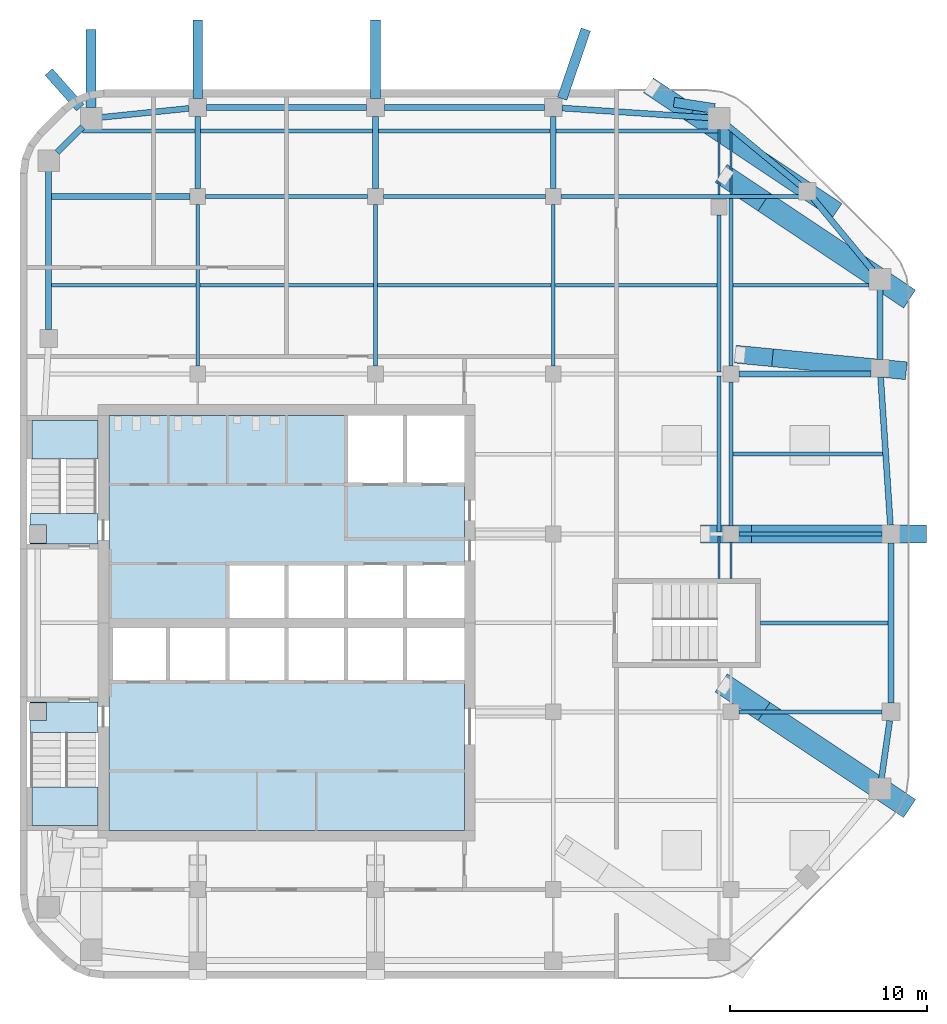
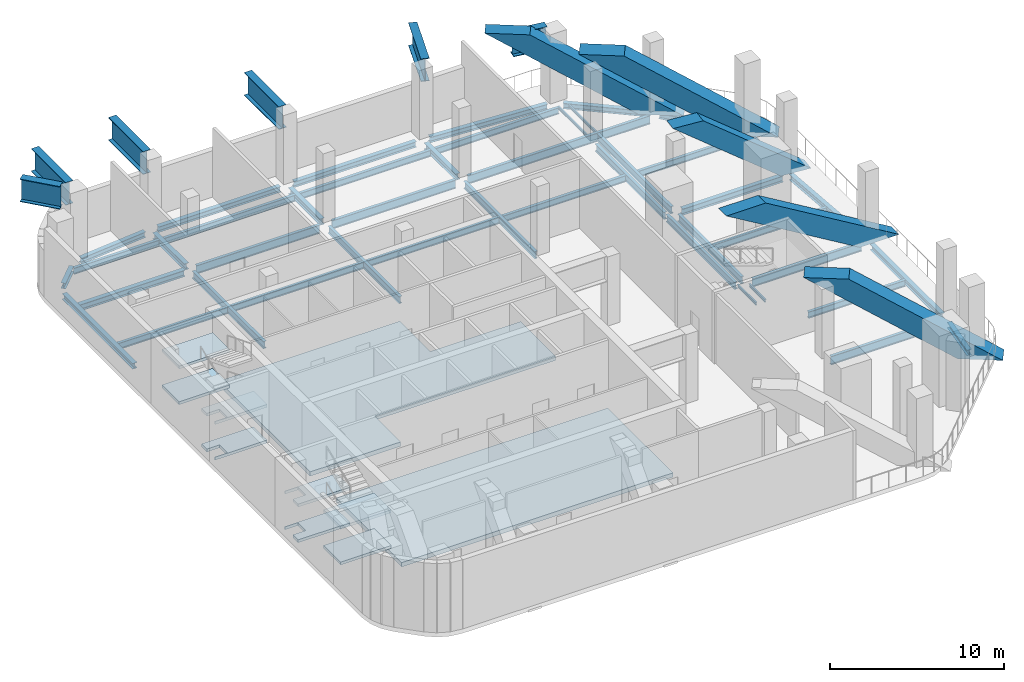
# One storey, part 2 of 8: 50 beams, 10 slabs, 5 members, 2 elements without a shape of their own.
"""IFC4 building model written with IfcOpenShell, lengths in metres."""

import ifcopenshell
import ifcopenshell.guid

model = None  # the IFC model being written
_history = None  # IfcOwnerHistory: only IFC2X3 demands one
_inside = {}  # id of a spatial element -> (the spatial element, [elements in it])
_under = {}  # id of a project, library or spatial element -> (it, [spatial elements below it])
_declared = {}  # id of a project -> (the project, [libraries it declares])
_typed = {}  # id of a type object -> (the type object, [elements of that type])
_made_of = {}  # id of a material, layer set ... -> (it, [elements and type objects made of it])


def new_model(schema):
    """Start an empty IFC model of exactly this schema.

    Asked for "IFC4X3", IfcOpenShell would pick the latest addendum, in which some entities
    have other attributes; the version numbers below select the first issue.
    IFC2X3 requires an IfcOwnerHistory on every rooted entity: one is made here for all.
    """
    global model, _history
    if schema == "IFC4X3":
        model = ifcopenshell.file(schema_version=(4, 3, 0, 0))
    else:
        model = ifcopenshell.file(schema=schema)
    _inside.clear()
    _under.clear()
    _declared.clear()
    _typed.clear()
    _made_of.clear()
    _history = None
    if model.schema == "IFC2X3":
        org = make("IfcOrganization", Name="unknown")
        user = make(
            "IfcPersonAndOrganization",
            ThePerson=make("IfcPerson", FamilyName="unknown"),
            TheOrganization=org,
        )
        app = make(
            "IfcApplication",
            ApplicationDeveloper=org,
            Version="unknown",
            ApplicationFullName="unknown",
            ApplicationIdentifier="unknown",
        )
        _history = make(
            "IfcOwnerHistory",
            OwningUser=user,
            OwningApplication=app,
            ChangeAction="ADDED",
            CreationDate=0,
        )
    return model


def make(cls, **values):
    """One entity of the class cls with the attributes given. An attribute that is None is left unset."""
    return model.create_entity(
        cls, **{name: value for name, value in values.items() if value is not None}
    )


def rooted(cls, **values):
    """An entity with a GlobalId (a new one), such as an element, a storey or a relation."""
    return make(cls, GlobalId=ifcopenshell.guid.new(), OwnerHistory=_history, **values)


def si_unit(unit_type, name, prefix=None):
    """IfcSIUnit, for example si_unit("LENGTHUNIT", "METRE", prefix="MILLI")."""
    return make("IfcSIUnit", UnitType=unit_type, Prefix=prefix, Name=name)


def assignment(units):
    """IfcUnitAssignment: the units of a project."""
    return None if units is None else make("IfcUnitAssignment", Units=units)


def point(xyz):
    """IfcCartesianPoint."""
    return None if xyz is None else make("IfcCartesianPoint", Coordinates=xyz)


def direction(xyz):
    """IfcDirection."""
    return None if xyz is None else make("IfcDirection", DirectionRatios=xyz)


def frame(location, z_axis=None, x_axis=None):
    """IfcAxis2Placement3D, a coordinate frame: its origin and axes. An axis left out is left unset."""
    return make(
        "IfcAxis2Placement3D",
        Location=point(location),
        Axis=direction(z_axis),
        RefDirection=direction(x_axis),
    )


def frame_2d(location, x_axis=None):
    """IfcAxis2Placement2D, a coordinate frame in the plane: its origin and x axis."""
    return make(
        "IfcAxis2Placement2D", Location=point(location), RefDirection=direction(x_axis)
    )


def origin():
    """The frame at (0, 0, 0) with its axes left unset."""
    return frame((0.0, 0.0, 0.0))


def origin_2d():
    """The frame at (0, 0) in the plane with its x axis left unset."""
    return frame_2d((0.0, 0.0))


def place(relative_to, where):
    """IfcLocalPlacement: puts the frame where relative to a parent placement (None: the world)."""
    return make(
        "IfcLocalPlacement", PlacementRelTo=relative_to, RelativePlacement=where
    )


def context(
    kind, dimensions, precision=None, world=None, true_north=None, identifier=None
):
    """IfcGeometricRepresentationContext, for example the 3D "Model" context."""
    return make(
        "IfcGeometricRepresentationContext",
        ContextIdentifier=identifier,
        ContextType=kind,
        CoordinateSpaceDimension=dimensions,
        Precision=precision,
        WorldCoordinateSystem=world,
        TrueNorth=true_north,
    )


def subcontext(parent, identifier, kind, view, scale=None):
    """IfcGeometricRepresentationSubContext, for example "Body" below "Model"."""
    return make(
        "IfcGeometricRepresentationSubContext",
        ContextIdentifier=identifier,
        ContextType=kind,
        ParentContext=parent,
        TargetScale=scale,
        TargetView=view,
    )


def project(units=None, contexts=None):
    """IfcProject with its units and contexts."""
    return rooted(
        "IfcProject",
        Name="project",
        RepresentationContexts=contexts,
        UnitsInContext=assignment(units),
    )


def spatial(cls, under=None, at=None, **own):
    """A site, building, storey or space (cls), placed at a placement, below another one or the project."""
    s = rooted(cls, ObjectPlacement=at, **own)
    if under is not None:
        _under.setdefault(under.id(), (under, []))[1].append(s)
    return s


def polyline(points):
    """IfcPolyline through the points."""
    return make("IfcPolyline", Points=[point(p) for p in points])


def profile(cls, at=None, kind="AREA", **sizes):
    """A parametric profile (cls). Its sizes go by their IFC names, for example OverallWidth=200.0."""
    return make(cls, ProfileType=kind, Position=at, **sizes)


def rectangle(**sizes):
    """IfcRectangleProfileDef."""
    return profile("IfcRectangleProfileDef", **sizes)


def i_section(**sizes):
    """IfcIShapeProfileDef."""
    return profile("IfcIShapeProfileDef", **sizes)


def outline(outer, holes=None, kind="AREA"):
    """IfcArbitraryClosedProfileDef: a profile drawn as a closed curve; with holes, ...WithVoids."""
    if holes is None:
        return make("IfcArbitraryClosedProfileDef", ProfileType=kind, OuterCurve=outer)
    return make(
        "IfcArbitraryProfileDefWithVoids",
        ProfileType=kind,
        OuterCurve=outer,
        InnerCurves=holes,
    )


def extrude(swept, where, along, depth):
    """IfcExtrudedAreaSolid: the profile swept, set in the frame where, extruded along a direction by depth."""
    return make(
        "IfcExtrudedAreaSolid",
        SweptArea=swept,
        Position=where,
        ExtrudedDirection=direction(along),
        Depth=depth,
    )


def shape(context_of_items, identifier, shape_type, items):
    """IfcShapeRepresentation: the items that make up one representation, for example the "Body"."""
    return make(
        "IfcShapeRepresentation",
        ContextOfItems=context_of_items,
        RepresentationIdentifier=identifier,
        RepresentationType=shape_type,
        Items=items,
    )


def material(Name=None, Category=None):
    """IfcMaterial."""
    return make("IfcMaterial", Name=Name, Category=Category)


def layer(
    of_material, thickness, ventilated=None, Name=None, Category=None, Priority=None
):
    """IfcMaterialLayer: one layer of a wall or slab, of a material (None: an air gap)."""
    return make(
        "IfcMaterialLayer",
        Material=of_material,
        LayerThickness=thickness,
        IsVentilated=ventilated,
        Name=Name,
        Category=Category,
        Priority=Priority,
    )


def layer_set(layers, Name=None):
    """IfcMaterialLayerSet."""
    return make("IfcMaterialLayerSet", MaterialLayers=layers, LayerSetName=Name)


def material_profile(
    of_material, cross_section, Name=None, Category=None, Priority=None
):
    """IfcMaterialProfile: a cross section and its material."""
    return make(
        "IfcMaterialProfile",
        Name=Name,
        Material=of_material,
        Profile=cross_section,
        Priority=Priority,
        Category=Category,
    )


def profile_set(profiles, Name=None, composite=None):
    """IfcMaterialProfileSet."""
    return make(
        "IfcMaterialProfileSet",
        Name=Name,
        MaterialProfiles=profiles,
        CompositeProfile=composite,
    )


def made_of(thing, what):
    """Note that an element or type object is made of a material, layer set ...; save() writes the relation."""
    if what is not None:
        _made_of.setdefault(what.id(), (what, []))[1].append(thing)
    return thing


def type_object(cls, material=None, **own):
    """A type object (cls), such as IfcWallType, which elements share."""
    return made_of(rooted(cls, **own), material)


def element(
    cls,
    number,
    at=None,
    inside=None,
    cuts=None,
    type_object=None,
    material=None,
    context=None,
    identifier="Body",
    shape_type=None,
    held_by="IfcProductDefinitionShape",
    body=None,
    shapes=None,
    **own,
):
    """One element of the class cls, such as IfcWall. Its Tag is "e" and its number.

    at: its placement. inside: the storey or other place that contains it. cuts: it is an
    opening in that element (IfcRelVoidsElement). A single representation is given by context,
    identifier, shape_type and body (its items); several are given by shapes. held_by: the class
    of the entity that holds the representations. save() writes the other relations.
    """
    e = rooted(cls, Tag="e%d" % number, ObjectPlacement=at, **own)
    if body is not None:
        shapes = [shape(context, identifier, shape_type, body)]
    if shapes is not None:
        e.Representation = make(held_by, Representations=shapes)
    if inside is not None:
        _inside.setdefault(inside.id(), (inside, []))[1].append(e)
    if cuts is not None:
        rooted(
            "IfcRelVoidsElement", RelatingBuildingElement=cuts, RelatedOpeningElement=e
        )
    if type_object is not None:
        _typed.setdefault(type_object.id(), (type_object, []))[1].append(e)
    return made_of(e, material)


def aggregate(whole, parts):
    """IfcRelAggregates: a whole, such as a stair, and the parts it consists of."""
    return rooted("IfcRelAggregates", RelatingObject=whole, RelatedObjects=parts)


def save(model, path):
    """Write the relations noted so far, then the file.

    IfcRelAggregates (storeys below a building ...), IfcRelContainedInSpatialStructure (elements
    in a storey), IfcRelDefinesByType, IfcRelAssociatesMaterial and IfcRelDeclares: one each for
    every whole, place, type object, material and project.
    """
    for whole, parts in _under.values():
        aggregate(whole, parts)
    for where, things in _inside.values():
        rooted(
            "IfcRelContainedInSpatialStructure",
            RelatedElements=things,
            RelatingStructure=where,
        )
    for kind, things in _typed.values():
        rooted("IfcRelDefinesByType", RelatedObjects=things, RelatingType=kind)
    for what, things in _made_of.values():
        rooted("IfcRelAssociatesMaterial", RelatedObjects=things, RelatingMaterial=what)
    for by, libraries in _declared.values():
        rooted("IfcRelDeclares", RelatingContext=by, RelatedDefinitions=libraries)
    model.write(path)


model = new_model("IFC4")

# Units and contexts
model_context = context("Model", 3, precision=1e-05, world=origin(), true_north=direction((0.0, 1.0)))
body_context = subcontext(model_context, "Body", "Model", "MODEL_VIEW")
ifc_project = project(units=[si_unit("LENGTHUNIT", "METRE"), si_unit("AREAUNIT", "SQUARE_METRE"), si_unit("VOLUMEUNIT", "CUBIC_METRE"), si_unit("PLANEANGLEUNIT", "RADIAN"), si_unit("MASSUNIT", "GRAM", prefix="KILO")], contexts=[model_context])

# Site, building, storey
site_placement = place(None, origin())
site = spatial("IfcSite", under=ifc_project, at=site_placement, CompositionType="ELEMENT")
building_placement = place(site_placement, origin())
building = spatial("IfcBuilding", under=site, at=building_placement, Name="Cinnabar Reach Civic Tower", CompositionType="ELEMENT")
storey_placement = place(building_placement, frame((0.0, 0.0, 242.0)))
storey = spatial("IfcBuildingStorey", under=building, at=storey_placement, Name="L58", CompositionType="ELEMENT", Elevation=242.0)

# Beams
ifc_material_1 = material(Name="Steel Q355B", Category="steel")
ifc_material_profile_1 = material_profile(ifc_material_1, i_section(OverallWidth=0.3, OverallDepth=0.39, WebThickness=0.01, FlangeThickness=0.016, FilletRadius=0.013, at=origin_2d()), Name="HM390x300x10x16")
ifc_profile_set_1 = profile_set([ifc_material_profile_1], Name="Steel Q355B")
beam_type_1 = type_object("IfcBeamType", Name="HM390x300x10x16 beam R 180", PredefinedType="BEAM", material=ifc_profile_set_1)
beam_1_placement = place(storey_placement, frame((43.6082, 23.5339, -0.495), z_axis=(0.140492342965, 0.990081765092, 0.0), x_axis=(-0.990081765092, 0.140492342965, 0.0)))
element("IfcBeam", 1, at=beam_1_placement, inside=storey, type_object=beam_type_1, Name="Edge beam T1 L58 7", PredefinedType="BEAM", context=body_context, shape_type="SweptSolid", body=[
    extrude(i_section(OverallWidth=0.3, OverallDepth=0.39, WebThickness=0.01, FlangeThickness=0.016, FilletRadius=0.013, at=origin_2d()), origin(), (0.0, 0.0, 1.0), 3.0443),
])
beam_2_placement = place(storey_placement, frame((44.1, 27.452, -0.495), z_axis=(0.0, 1.0, 0.0), x_axis=(-1.0, 0.0, 0.0)))
element("IfcBeam", 2, at=beam_2_placement, inside=storey, type_object=beam_type_1, Name="Edge beam T1 L58 8", PredefinedType="BEAM", context=body_context, shape_type="SweptSolid", body=[
    extrude(i_section(OverallWidth=0.3, OverallDepth=0.39, WebThickness=0.01, FlangeThickness=0.016, FilletRadius=0.013, at=origin_2d()), origin(), (0.0, 0.0, 1.0), 8.096),
])
beam_3_placement = place(storey_placement, frame((44.0702, 36.452, -0.495), z_axis=(-0.065709484267, 0.997838796438, 0.0), x_axis=(-0.997838796438, -0.065709484267, 0.0)))
element("IfcBeam", 3, at=beam_3_placement, inside=storey, type_object=beam_type_1, Name="Edge beam T1 L58 9", PredefinedType="BEAM", context=body_context, shape_type="SweptSolid", body=[
    extrude(i_section(OverallWidth=0.3, OverallDepth=0.39, WebThickness=0.01, FlangeThickness=0.016, FilletRadius=0.013, at=origin_2d()), origin(), (0.0, 0.0, 1.0), 7.5103),
])
beam_4_placement = place(storey_placement, frame((43.5469, 44.8501, -0.495), z_axis=(0.0, 1.0, 0.0), x_axis=(-1.0, 0.0, 0.0)))
element("IfcBeam", 4, at=beam_4_placement, inside=storey, type_object=beam_type_1, Name="Edge beam T1 L58 10", PredefinedType="BEAM", context=body_context, shape_type="SweptSolid", body=[
    extrude(i_section(OverallWidth=0.3, OverallDepth=0.39, WebThickness=0.01, FlangeThickness=0.016, FilletRadius=0.013, at=origin_2d()), origin(), (0.0, 0.0, 1.0), 3.616),
])
for number, where, z_axis, x_axis, name in (
    (5, (43.1906, 49.3301, -0.495), (-0.63630880182, 0.771434448755, 0.0), (-0.771434448755, -0.63630880182, 0.0), "Edge beam T1 L58 11"),
    (6, (39.5598, 53.6142, -0.495), (-0.771434448755, 0.63630880182, 0.0), (-0.63630880182, -0.771434448755, 0.0), "Edge beam T1 L58 12"),
):
    element("IfcBeam", number, at=place(storey_placement, frame(where, z_axis=z_axis, x_axis=x_axis)), inside=storey, type_object=beam_type_1, Name=name, PredefinedType="BEAM", context=body_context, shape_type="SweptSolid", body=[
        extrude(i_section(OverallWidth=0.3, OverallDepth=0.39, WebThickness=0.01, FlangeThickness=0.016, FilletRadius=0.013, at=origin_2d()), origin(), (0.0, 0.0, 1.0), 4.8348),
    ])
beam_5_placement = place(storey_placement, frame((34.9661, 57.0754, -0.495), z_axis=(-0.99783894477, 0.065707231721, 0.0), x_axis=(-0.065707231721, -0.99783894477, 0.0)))
element("IfcBeam", 7, at=beam_5_placement, inside=storey, type_object=beam_type_1, Name="Edge beam T1 L58 13", PredefinedType="BEAM", context=body_context, shape_type="SweptSolid", body=[
    extrude(i_section(OverallWidth=0.3, OverallDepth=0.39, WebThickness=0.01, FlangeThickness=0.016, FilletRadius=0.013, at=origin_2d()), origin(), (0.0, 0.0, 1.0), 7.5304),
])
for number, where, z_axis, x_axis, name in (
    (8, (26.548, 57.6, -0.495), (-1.0, 0.0, 0.0), (0.0, -1.0, 0.0), "Edge beam T1 L58 14"),
    (9, (17.548, 57.6, -0.495), (-1.0, 0.0, 0.0), (0.0, -1.0, 0.0), "Edge beam T1 L58 15"),
):
    element("IfcBeam", number, at=place(storey_placement, frame(where, z_axis=z_axis, x_axis=x_axis)), inside=storey, type_object=beam_type_1, Name=name, PredefinedType="BEAM", context=body_context, shape_type="SweptSolid", body=[
        extrude(i_section(OverallWidth=0.3, OverallDepth=0.39, WebThickness=0.01, FlangeThickness=0.016, FilletRadius=0.013, at=origin_2d()), origin(), (0.0, 0.0, 1.0), 8.096),
    ])
beam_6_placement = place(storey_placement, frame((8.548, 57.5537, -0.495), z_axis=(-0.994792272495, -0.101923179821, 0.0), x_axis=(0.101923179821, -0.994792272495, 0.0)))
element("IfcBeam", 10, at=beam_6_placement, inside=storey, type_object=beam_type_1, Name="Edge beam T1 L58 16", PredefinedType="BEAM", context=body_context, shape_type="SweptSolid", body=[
    extrude(i_section(OverallWidth=0.3, OverallDepth=0.39, WebThickness=0.01, FlangeThickness=0.016, FilletRadius=0.013, at=origin_2d()), origin(), (0.0, 0.0, 1.0), 4.5377),
])
beam_7_placement = place(storey_placement, frame((3.1699, 56.6149, -0.495), z_axis=(-0.707106781187, -0.707106781187, 0.0), x_axis=(0.707106781187, -0.707106781187, 0.0)))
element("IfcBeam", 11, at=beam_7_placement, inside=storey, type_object=beam_type_1, Name="Edge beam T1 L58 17", PredefinedType="BEAM", context=body_context, shape_type="SweptSolid", body=[
    extrude(i_section(OverallWidth=0.3, OverallDepth=0.39, WebThickness=0.01, FlangeThickness=0.016, FilletRadius=0.013, at=origin_2d()), origin(), (0.0, 0.0, 1.0), 1.817),
])
beam_8_placement = place(storey_placement, frame((1.4531, 54.4661, -0.495), z_axis=(0.0, -1.0, 0.0), x_axis=(1.0, 0.0, 0.0)))
element("IfcBeam", 12, at=beam_8_placement, inside=storey, type_object=beam_type_1, Name="Edge beam T1 L58 18", PredefinedType="BEAM", context=body_context, shape_type="SweptSolid", body=[
    extrude(i_section(OverallWidth=0.3, OverallDepth=0.39, WebThickness=0.01, FlangeThickness=0.016, FilletRadius=0.013, at=origin_2d()), origin(), (0.0, 0.0, 1.0), 8.116),
])
ifc_material_profile_2 = material_profile(ifc_material_1, i_section(OverallWidth=0.3, OverallDepth=0.44, WebThickness=0.011, FlangeThickness=0.018, FilletRadius=0.016, at=origin_2d()), Name="HM440x300x11x18")
ifc_profile_set_2 = profile_set([ifc_material_profile_2], Name="Steel Q355B")
beam_type_2 = type_object("IfcBeamType", Name="HM440x300x11x18 beam R 180", PredefinedType="BEAM", material=ifc_profile_set_2)
beam_9_placement = place(storey_placement, frame((36.402, 44.1, -0.52), z_axis=(1.0, 0.0, 0.0), x_axis=(0.0, 1.0, 0.0)))
element("IfcBeam", 13, at=beam_9_placement, inside=storey, type_object=beam_type_2, Name="Girder T1 L58 16", PredefinedType="BEAM", context=body_context, shape_type="SweptSolid", body=[
    extrude(i_section(OverallWidth=0.3, OverallDepth=0.44, WebThickness=0.011, FlangeThickness=0.018, FilletRadius=0.016, at=origin_2d()), origin(), (0.0, 0.0, 1.0), 6.6929),
])
beam_10_placement = place(storey_placement, frame((1.6051, 53.1, -0.52), z_axis=(1.0, 0.0, 0.0), x_axis=(0.0, 1.0, 0.0)))
element("IfcBeam", 14, at=beam_10_placement, inside=storey, type_object=beam_type_2, Name="Girder T1 L58 17", PredefinedType="BEAM", context=body_context, shape_type="SweptSolid", body=[
    extrude(i_section(OverallWidth=0.3, OverallDepth=0.44, WebThickness=0.011, FlangeThickness=0.018, FilletRadius=0.016, at=origin_2d()), origin(), (0.0, 0.0, 1.0), 6.9929),
])
for number, where, z_axis, x_axis, name in (
    (15, (9.0, 53.502, -0.52), (0.0, 1.0, 0.0), (-1.0, 0.0, 0.0), "Girder T1 L58 5"),
    (16, (18.0, 53.502, -0.52), (0.0, 1.0, 0.0), (-1.0, 0.0, 0.0), "Girder T1 L58 10"),
    (17, (27.0, 53.502, -0.52), (0.0, 1.0, 0.0), (-1.0, 0.0, 0.0), "Girder T1 L58 16"),
):
    element("IfcBeam", number, at=place(storey_placement, frame(where, z_axis=z_axis, x_axis=x_axis)), inside=storey, type_object=beam_type_2, Name=name, PredefinedType="BEAM", context=body_context, shape_type="SweptSolid", body=[
        extrude(i_section(OverallWidth=0.3, OverallDepth=0.44, WebThickness=0.011, FlangeThickness=0.018, FilletRadius=0.016, at=origin_2d()), origin(), (0.0, 0.0, 1.0), 3.646),
    ])
ifc_material_profile_3 = material_profile(ifc_material_1, i_section(OverallWidth=0.099, OverallDepth=0.198, WebThickness=0.0045, FlangeThickness=0.007, FilletRadius=0.013, at=origin_2d()), Name="HN200x100x5.5x8")
ifc_profile_set_3 = profile_set([ifc_material_profile_3], Name="Steel Q355B")
beam_type_3 = type_object("IfcBeamType", Name="HN200x100x5.5x8 beam R 180", PredefinedType="BEAM", material=ifc_profile_set_3)
beam_11_placement = place(storey_placement, frame((35.3981, 33.752, -0.399), z_axis=(0.0, 1.0, 0.0), x_axis=(-1.0, 0.0, 0.0)))
element("IfcBeam", 18, at=beam_11_placement, inside=storey, type_object=beam_type_3, Name="Girder T1 L58 20", PredefinedType="BEAM", context=body_context, shape_type="SweptSolid", body=[
    extrude(i_section(OverallWidth=0.099, OverallDepth=0.198, WebThickness=0.0045, FlangeThickness=0.007, FilletRadius=0.013, at=origin_2d()), origin(), (0.0, 0.0, 1.0), 2.1465),
])
beam_12_placement = place(storey_placement, frame((35.3981, 53.2015, -0.399), z_axis=(0.0, 1.0, 0.0), x_axis=(-1.0, 0.0, 0.0)))
element("IfcBeam", 19, at=beam_12_placement, inside=storey, type_object=beam_type_3, Name="Girder T1 L58 23", PredefinedType="BEAM", context=body_context, shape_type="SweptSolid", body=[
    extrude(i_section(OverallWidth=0.099, OverallDepth=0.198, WebThickness=0.0045, FlangeThickness=0.007, FilletRadius=0.013, at=origin_2d()), origin(), (0.0, 0.0, 1.0), 3.2934),
])
beam_13_placement = place(storey_placement, frame((36.0, 33.752, -0.399), z_axis=(0.0, 1.0, 0.0), x_axis=(-1.0, 0.0, 0.0)))
element("IfcBeam", 20, at=beam_13_placement, inside=storey, type_object=beam_type_3, Name="Girder T1 L58 27", PredefinedType="BEAM", context=body_context, shape_type="SweptSolid", body=[
    extrude(i_section(OverallWidth=0.099, OverallDepth=0.198, WebThickness=0.0045, FlangeThickness=0.007, FilletRadius=0.013, at=origin_2d()), origin(), (0.0, 0.0, 1.0), 1.846),
])
beam_14_placement = place(storey_placement, frame((36.0, 53.2015, -0.399), z_axis=(0.0, 1.0, 0.0), x_axis=(-1.0, 0.0, 0.0)))
element("IfcBeam", 21, at=beam_14_placement, inside=storey, type_object=beam_type_3, Name="Girder T1 L58 30", PredefinedType="BEAM", context=body_context, shape_type="SweptSolid", body=[
    extrude(i_section(OverallWidth=0.099, OverallDepth=0.198, WebThickness=0.0045, FlangeThickness=0.007, FilletRadius=0.013, at=origin_2d()), origin(), (0.0, 0.0, 1.0), 3.1519),
])
ifc_material_profile_4 = material_profile(ifc_material_1, i_section(OverallWidth=0.199, OverallDepth=0.446, WebThickness=0.008, FlangeThickness=0.012, FilletRadius=0.016, at=origin_2d()), Name="HN446x199x8x12")
ifc_profile_set_4 = profile_set([ifc_material_profile_4], Name="Steel Q355B")
beam_type_4 = type_object("IfcBeamType", Name="HN446x199x8x12 beam R 180", PredefinedType="BEAM", material=ifc_profile_set_4)
beam_15_placement = place(storey_placement, frame((37.502, 31.5, -0.523), z_axis=(1.0, 0.0, 0.0), x_axis=(0.0, 1.0, 0.0)))
element("IfcBeam", 22, at=beam_15_placement, inside=storey, type_object=beam_type_4, Name="Secondary beam T1 L58 7", PredefinedType="BEAM", context=body_context, shape_type="SweptSolid", body=[
    extrude(i_section(OverallWidth=0.199, OverallDepth=0.446, WebThickness=0.008, FlangeThickness=0.012, FilletRadius=0.016, at=origin_2d()), origin(), (0.0, 0.0, 1.0), 6.446),
])
beam_16_placement = place(storey_placement, frame((36.102, 40.05, -0.523), z_axis=(1.0, 0.0, 0.0), x_axis=(0.0, 1.0, 0.0)))
element("IfcBeam", 23, at=beam_16_placement, inside=storey, type_object=beam_type_4, Name="Secondary beam T1 L58 10", PredefinedType="BEAM", context=body_context, shape_type="SweptSolid", body=[
    extrude(i_section(OverallWidth=0.199, OverallDepth=0.446, WebThickness=0.008, FlangeThickness=0.012, FilletRadius=0.016, at=origin_2d()), origin(), (0.0, 0.0, 1.0), 7.5789),
])
beam_17_placement = place(storey_placement, frame((1.6051, 48.6, -0.523), z_axis=(1.0, 0.0, 0.0), x_axis=(0.0, 1.0, 0.0)))
element("IfcBeam", 24, at=beam_17_placement, inside=storey, type_object=beam_type_4, Name="Secondary beam T1 L58 11", PredefinedType="BEAM", context=body_context, shape_type="SweptSolid", body=[
    extrude(i_section(OverallWidth=0.199, OverallDepth=0.446, WebThickness=0.008, FlangeThickness=0.012, FilletRadius=0.016, at=origin_2d()), origin(), (0.0, 0.0, 1.0), 7.2929),
])
for number, where, z_axis, x_axis, name in (
    (25, (9.102, 48.6, -0.523), (1.0, 0.0, 0.0), (0.0, 1.0, 0.0), "Secondary beam T1 L58 12"),
    (26, (18.102, 48.6, -0.523), (1.0, 0.0, 0.0), (0.0, 1.0, 0.0), "Secondary beam T1 L58 13"),
):
    element("IfcBeam", number, at=place(storey_placement, frame(where, z_axis=z_axis, x_axis=x_axis)), inside=storey, type_object=beam_type_4, Name=name, PredefinedType="BEAM", context=body_context, shape_type="SweptSolid", body=[
        extrude(i_section(OverallWidth=0.199, OverallDepth=0.446, WebThickness=0.008, FlangeThickness=0.012, FilletRadius=0.016, at=origin_2d()), origin(), (0.0, 0.0, 1.0), 8.796),
    ])
beam_18_placement = place(storey_placement, frame((27.102, 48.6, -0.523), z_axis=(1.0, 0.0, 0.0), x_axis=(0.0, 1.0, 0.0)))
element("IfcBeam", 27, at=beam_18_placement, inside=storey, type_object=beam_type_4, Name="Secondary beam T1 L58 14", PredefinedType="BEAM", context=body_context, shape_type="SweptSolid", body=[
    extrude(i_section(OverallWidth=0.199, OverallDepth=0.446, WebThickness=0.008, FlangeThickness=0.012, FilletRadius=0.016, at=origin_2d()), origin(), (0.0, 0.0, 1.0), 8.1941),
])
beam_19_placement = place(storey_placement, frame((36.102, 48.6, -0.523), z_axis=(1.0, 0.0, 0.0), x_axis=(0.0, 1.0, 0.0)))
element("IfcBeam", 28, at=beam_19_placement, inside=storey, type_object=beam_type_4, Name="Secondary beam T1 L58 15", PredefinedType="BEAM", context=body_context, shape_type="SweptSolid", body=[
    extrude(i_section(OverallWidth=0.199, OverallDepth=0.446, WebThickness=0.008, FlangeThickness=0.012, FilletRadius=0.016, at=origin_2d()), origin(), (0.0, 0.0, 1.0), 6.8929),
])
beam_20_placement = place(storey_placement, frame((3.17, 56.4, -0.523), z_axis=(1.0, 0.0, 0.0), x_axis=(0.0, 1.0, 0.0)))
element("IfcBeam", 29, at=beam_20_placement, inside=storey, type_object=beam_type_4, Name="Secondary beam T1 L58 16", PredefinedType="BEAM", context=body_context, shape_type="SweptSolid", body=[
    extrude(i_section(OverallWidth=0.199, OverallDepth=0.446, WebThickness=0.008, FlangeThickness=0.012, FilletRadius=0.016, at=origin_2d()), origin(), (0.0, 0.0, 1.0), 5.678),
])
for number, where, z_axis, x_axis, name in (
    (30, (9.152, 56.4, -0.523), (1.0, 0.0, 0.0), (0.0, 1.0, 0.0), "Secondary beam T1 L58 17"),
    (31, (18.152, 56.4, -0.523), (1.0, 0.0, 0.0), (0.0, 1.0, 0.0), "Secondary beam T1 L58 18"),
):
    element("IfcBeam", number, at=place(storey_placement, frame(where, z_axis=z_axis, x_axis=x_axis)), inside=storey, type_object=beam_type_4, Name=name, PredefinedType="BEAM", context=body_context, shape_type="SweptSolid", body=[
        extrude(i_section(OverallWidth=0.199, OverallDepth=0.446, WebThickness=0.008, FlangeThickness=0.012, FilletRadius=0.016, at=origin_2d()), origin(), (0.0, 0.0, 1.0), 8.696),
    ])
beam_21_placement = place(storey_placement, frame((27.152, 56.4, -0.523), z_axis=(1.0, 0.0, 0.0), x_axis=(0.0, 1.0, 0.0)))
element("IfcBeam", 32, at=beam_21_placement, inside=storey, type_object=beam_type_4, Name="Secondary beam T1 L58 19", PredefinedType="BEAM", context=body_context, shape_type="SweptSolid", body=[
    extrude(i_section(OverallWidth=0.199, OverallDepth=0.446, WebThickness=0.008, FlangeThickness=0.012, FilletRadius=0.016, at=origin_2d()), origin(), (0.0, 0.0, 1.0), 8.1946),
])
ifc_material_profile_5 = material_profile(ifc_material_1, i_section(OverallWidth=0.2, OverallDepth=0.5, WebThickness=0.01, FlangeThickness=0.016, FilletRadius=0.016, at=origin_2d()), Name="HN500x200x10x16")
ifc_profile_set_5 = profile_set([ifc_material_profile_5], Name="Steel Q355B")
beam_type_5 = type_object("IfcBeamType", Name="HN500x200x10x16 beam R 180", PredefinedType="BEAM", material=ifc_profile_set_5)
for number, where, z_axis, x_axis, name in (
    (33, (9.0, 44.502, -0.55), (0.0, 1.0, 0.0), (-1.0, 0.0, 0.0), "Girder T1 L58 4"),
    (34, (18.0, 44.502, -0.55), (0.0, 1.0, 0.0), (-1.0, 0.0, 0.0), "Girder T1 L58 9"),
    (35, (27.0, 44.502, -0.55), (0.0, 1.0, 0.0), (-1.0, 0.0, 0.0), "Girder T1 L58 15"),
):
    element("IfcBeam", number, at=place(storey_placement, frame(where, z_axis=z_axis, x_axis=x_axis)), inside=storey, type_object=beam_type_5, Name=name, PredefinedType="BEAM", context=body_context, shape_type="SweptSolid", body=[
        extrude(i_section(OverallWidth=0.2, OverallDepth=0.5, WebThickness=0.01, FlangeThickness=0.016, FilletRadius=0.016, at=origin_2d()), origin(), (0.0, 0.0, 1.0), 8.196),
    ])
beam_22_placement = place(storey_placement, frame((35.3981, 36.1015, -0.55), z_axis=(0.0, 1.0, 0.0), x_axis=(-1.0, 0.0, 0.0)))
element("IfcBeam", 36, at=beam_22_placement, inside=storey, type_object=beam_type_5, Name="Girder T1 L58 21", PredefinedType="BEAM", context=body_context, shape_type="SweptSolid", body=[
    extrude(i_section(OverallWidth=0.2, OverallDepth=0.5, WebThickness=0.01, FlangeThickness=0.016, FilletRadius=0.016, at=origin_2d()), origin(), (0.0, 0.0, 1.0), 7.897),
])
beam_23_placement = place(storey_placement, frame((35.3981, 44.2015, -0.55), z_axis=(0.0, 1.0, 0.0), x_axis=(-1.0, 0.0, 0.0)))
element("IfcBeam", 37, at=beam_23_placement, inside=storey, type_object=beam_type_5, Name="Girder T1 L58 22", PredefinedType="BEAM", context=body_context, shape_type="SweptSolid", body=[
    extrude(i_section(OverallWidth=0.2, OverallDepth=0.5, WebThickness=0.01, FlangeThickness=0.016, FilletRadius=0.016, at=origin_2d()), origin(), (0.0, 0.0, 1.0), 7.9434),
])
beam_24_placement = place(storey_placement, frame((36.0, 36.402, -0.55), z_axis=(0.0, 1.0, 0.0), x_axis=(-1.0, 0.0, 0.0)))
element("IfcBeam", 38, at=beam_24_placement, inside=storey, type_object=beam_type_5, Name="Girder T1 L58 28", PredefinedType="BEAM", context=body_context, shape_type="SweptSolid", body=[
    extrude(i_section(OverallWidth=0.2, OverallDepth=0.5, WebThickness=0.01, FlangeThickness=0.016, FilletRadius=0.016, at=origin_2d()), origin(), (0.0, 0.0, 1.0), 7.296),
])
beam_25_placement = place(storey_placement, frame((36.0, 44.502, -0.55), z_axis=(0.0, 1.0, 0.0), x_axis=(-1.0, 0.0, 0.0)))
element("IfcBeam", 39, at=beam_25_placement, inside=storey, type_object=beam_type_5, Name="Girder T1 L58 29", PredefinedType="BEAM", context=body_context, shape_type="SweptSolid", body=[
    extrude(i_section(OverallWidth=0.2, OverallDepth=0.5, WebThickness=0.01, FlangeThickness=0.016, FilletRadius=0.016, at=origin_2d()), origin(), (0.0, 0.0, 1.0), 8.4965),
])
ifc_material_profile_6 = material_profile(ifc_material_1, i_section(OverallWidth=0.199, OverallDepth=0.596, WebThickness=0.01, FlangeThickness=0.015, FilletRadius=0.016, at=origin_2d()), Name="HN596x199x10x15")
ifc_profile_set_6 = profile_set([ifc_material_profile_6], Name="Steel Q355B")
beam_type_6 = type_object("IfcBeamType", Name="HN596x199x10x15 beam R 180", PredefinedType="BEAM", material=ifc_profile_set_6)
for number, where, z_axis, x_axis, name in (
    (40, (36.402, 27.0, -0.598), (1.0, 0.0, 0.0), (0.0, 1.0, 0.0), "Girder T1 L58 8"),
    (41, (36.402, 36.0, -0.598), (1.0, 0.0, 0.0), (0.0, 1.0, 0.0), "Girder T1 L58 11"),
):
    element("IfcBeam", number, at=place(storey_placement, frame(where, z_axis=z_axis, x_axis=x_axis)), inside=storey, type_object=beam_type_6, Name=name, PredefinedType="BEAM", context=body_context, shape_type="SweptSolid", body=[
        extrude(i_section(OverallWidth=0.199, OverallDepth=0.596, WebThickness=0.01, FlangeThickness=0.015, FilletRadius=0.016, at=origin_2d()), origin(), (0.0, 0.0, 1.0), 7.246),
    ])
for number, where, z_axis, x_axis, name in (
    (42, (9.402, 53.1, -0.598), (1.0, 0.0, 0.0), (0.0, 1.0, 0.0), "Girder T1 L58 18"),
    (43, (18.402, 53.1, -0.598), (1.0, 0.0, 0.0), (0.0, 1.0, 0.0), "Girder T1 L58 19"),
):
    element("IfcBeam", number, at=place(storey_placement, frame(where, z_axis=z_axis, x_axis=x_axis)), inside=storey, type_object=beam_type_6, Name=name, PredefinedType="BEAM", context=body_context, shape_type="SweptSolid", body=[
        extrude(i_section(OverallWidth=0.199, OverallDepth=0.596, WebThickness=0.01, FlangeThickness=0.015, FilletRadius=0.016, at=origin_2d()), origin(), (0.0, 0.0, 1.0), 8.196),
    ])
beam_26_placement = place(storey_placement, frame((27.402, 53.1, -0.598), z_axis=(1.0, 0.0, 0.0), x_axis=(0.0, 1.0, 0.0)))
element("IfcBeam", 44, at=beam_26_placement, inside=storey, type_object=beam_type_6, Name="Girder T1 L58 20", PredefinedType="BEAM", context=body_context, shape_type="SweptSolid", body=[
    extrude(i_section(OverallWidth=0.199, OverallDepth=0.596, WebThickness=0.01, FlangeThickness=0.015, FilletRadius=0.016, at=origin_2d()), origin(), (0.0, 0.0, 1.0), 12.086),
])

# Members
ifc_material_2 = material(Name="Concrete C70", Category="concrete")
ifc_material_profile_7 = material_profile(ifc_material_2, rectangle(XDim=1.9, YDim=0.9, at=origin_2d()), Name="RC1900x900")
ifc_profile_set_7 = profile_set([ifc_material_profile_7], Name="Concrete C70")
member_type_1 = type_object("IfcMemberType", Name="RC1900x900 raked strut R 240", PredefinedType="STRUT", material=ifc_profile_set_7)
member_1_placement = place(storey_placement, frame((43.9302, 44.3609, -0.3), z_axis=(0.0, 0.0, 1.0), x_axis=(-0.995315553523, 0.096679619958, 0.0)))
element("IfcMember", 45, at=member_1_placement, inside=storey, type_object=member_type_1, Name="Raked column T1-Z4-F2-5", PredefinedType="STRUT", context=body_context, shape_type="SweptSolid", body=[
    extrude(rectangle(XDim=1.9, YDim=0.9, at=origin_2d()), origin(), (0.788892136728, 9.934408e-06, 0.614531688776), 8.6245),
])
ifc_material_3 = material(Name="Concrete C80", Category="concrete")
ifc_material_profile_8 = material_profile(ifc_material_3, rectangle(XDim=2.6, YDim=1.1, at=origin_2d()), Name="RC2600x1100")
ifc_profile_set_8 = profile_set([ifc_material_profile_8], Name="Concrete C80")
member_type_2 = type_object("IfcMemberType", Name="RC2600x1100 raked strut R 240", PredefinedType="STRUT", material=ifc_profile_set_8)
for number, where, z_axis, x_axis, name in (
    (46, (43.9644, 22.8235, -0.3), (0.0, 0.0, 1.0), (-0.83205094808, 0.554699215611, 0.0), "Raked column T1-Z4-CC2"),
    (47, (43.9644, 48.6197, -0.3), (0.0, 0.0, 1.0), (-0.83205094808, 0.554699215611, 0.0), "Raked column T1-Z4-CC3"),
):
    element("IfcMember", number, at=place(storey_placement, frame(where, z_axis=z_axis, x_axis=x_axis)), inside=storey, type_object=member_type_2, Name=name, PredefinedType="STRUT", context=body_context, shape_type="SweptSolid", body=[
        extrude(rectangle(XDim=2.6, YDim=1.1, at=origin_2d()), origin(), (0.858309710975, -6.382022e-06, 0.513131990822), 10.3287),
    ])
ifc_material_profile_9 = material_profile(ifc_material_2, rectangle(XDim=2.6, YDim=0.9, at=origin_2d()), Name="RC2600x900")
ifc_profile_set_9 = profile_set([ifc_material_profile_9], Name="Concrete C70")
member_type_3 = type_object("IfcMemberType", Name="RC2600x900 raked strut R 240", PredefinedType="STRUT", material=ifc_profile_set_9)
member_2_placement = place(storey_placement, frame((44.6, 36.0, -0.3), z_axis=(0.0, 0.0, 1.0), x_axis=(-1.0, 0.0, 0.0)))
element("IfcMember", 48, at=member_2_placement, inside=storey, type_object=member_type_3, Name="Raked column T1-Z4-F2-4", PredefinedType="STRUT", context=body_context, shape_type="SweptSolid", body=[
    extrude(rectangle(XDim=2.6, YDim=0.9, at=origin_2d()), origin(), (0.857933100558, 0.0, 0.513761418333), 10.3161),
])
member_3_placement = place(storey_placement, frame((40.2796, 53.0862, -0.3), z_axis=(0.0, 0.0, 1.0), x_axis=(-0.83205094808, 0.554699215611, 0.0)))
element("IfcMember", 49, at=member_3_placement, inside=storey, type_object=member_type_3, Name="Raked column T1-Z4-F3-M", PredefinedType="STRUT", context=body_context, shape_type="SweptSolid", body=[
    extrude(rectangle(XDim=2.6, YDim=0.9, at=origin_2d()), origin(), (0.858263743497, -6.382773e-06, 0.513208872252), 10.3272),
])

# Beams
ifc_material_profile_10 = material_profile(ifc_material_1, i_section(OverallWidth=0.5, OverallDepth=1.6, WebThickness=0.025, FlangeThickness=0.04, at=origin_2d()), Name="BH1600x500x25x40")
ifc_profile_set_10 = profile_set([ifc_material_profile_10], Name="Steel Q355B")
beam_type_7 = type_object("IfcBeamType", Name="TRANSFER BH1600x500x25x40 R 240", PredefinedType="BEAM", material=ifc_profile_set_10)
beam_27_placement = place(storey_placement, frame((27.45, 58.05, 4.05), z_axis=(0.3241216666, 0.946015404336, 0.0), x_axis=(-0.946015404336, 0.3241216666, 0.0)))
element("IfcBeam", 50, at=beam_27_placement, inside=storey, type_object=beam_type_7, Name="TRANSFER girder T1-L58-TG-CC4", PredefinedType="BEAM", context=body_context, shape_type="SweptSolid", body=[
    extrude(i_section(OverallWidth=0.5, OverallDepth=1.6, WebThickness=0.025, FlangeThickness=0.04, at=origin_2d()), origin(), (0.0, 0.0, 1.0), 3.6965),
])
beam_28_placement = place(storey_placement, frame((3.6019, 57.5969, 4.05), z_axis=(0.0, 1.0, 0.0), x_axis=(-1.0, 0.0, 0.0)))
element("IfcBeam", 51, at=beam_28_placement, inside=storey, type_object=beam_type_7, Name="TRANSFER girder T1-L58-TG-CC5", PredefinedType="BEAM", context=body_context, shape_type="SweptSolid", body=[
    extrude(i_section(OverallWidth=0.5, OverallDepth=1.6, WebThickness=0.025, FlangeThickness=0.04, at=origin_2d()), origin(), (0.0, 0.0, 1.0), 3.95),
])
beam_29_placement = place(storey_placement, frame((3.0519, 57.5969, 4.05), z_axis=(-0.663837932555, 0.747876459919, 0.0), x_axis=(-0.747876459919, -0.663837932555, 0.0)))
element("IfcBeam", 52, at=beam_29_placement, inside=storey, type_object=beam_type_7, Name="TRANSFER girder T1-L58-TG-CC6", PredefinedType="BEAM", context=body_context, shape_type="SweptSolid", body=[
    extrude(i_section(OverallWidth=0.5, OverallDepth=1.6, WebThickness=0.025, FlangeThickness=0.04, at=origin_2d()), origin(), (0.0, 0.0, 1.0), 2.4084),
])
beam_30_placement = place(storey_placement, frame((35.1694, 57.5475, 4.05), z_axis=(-0.988384477864, 0.151974089626, 0.0), x_axis=(-0.151974089626, -0.988384477864, 0.0)))
element("IfcBeam", 53, at=beam_30_placement, inside=storey, type_object=beam_type_7, Name="TRANSFER girder T1-L58-TG-F3-M", PredefinedType="BEAM", context=body_context, shape_type="SweptSolid", body=[
    extrude(i_section(OverallWidth=0.5, OverallDepth=1.6, WebThickness=0.025, FlangeThickness=0.04, at=origin_2d()), origin(), (0.0, 0.0, 1.0), 2.08),
])
for number, where, z_axis, x_axis, name in (
    (54, (9.0, 58.05, 4.05), (0.0, 1.0, 0.0), (-1.0, 0.0, 0.0), "TRANSFER girder T1-L58-TG-F4-1"),
    (55, (18.0, 58.05, 4.05), (0.0, 1.0, 0.0), (-1.0, 0.0, 0.0), "TRANSFER girder T1-L58-TG-F4-2"),
):
    element("IfcBeam", number, at=place(storey_placement, frame(where, z_axis=z_axis, x_axis=x_axis)), inside=storey, type_object=beam_type_7, Name=name, PredefinedType="BEAM", context=body_context, shape_type="SweptSolid", body=[
        extrude(i_section(OverallWidth=0.5, OverallDepth=1.6, WebThickness=0.025, FlangeThickness=0.04, at=origin_2d()), origin(), (0.0, 0.0, 1.0), 3.98),
    ])

# Stair, slabs
ifc_material_4 = material(Name="Concrete C40/50", Category="concrete")
stair_type = type_object("IfcStairType", Name="T1 Exit stair, double return", PredefinedType="DOUBLE_RETURN_STAIR", material=ifc_material_4)
stair_1_placement = place(storey_placement, origin())
stair_1 = element("IfcStair", 56, at=stair_1_placement, inside=storey, type_object=stair_type, Name="Stair T1-S1", PredefinedType="DOUBLE_RETURN_STAIR")
ifc_layer_1 = layer(ifc_material_4, 0.2)
ifc_layer_set_1 = layer_set([ifc_layer_1], Name="T1 Stair landing 200, Concrete C40/50")
slab_type_1 = type_object("IfcSlabType", Name="T1 Stair landing 200, Concrete C40/50", PredefinedType="LANDING", material=ifc_layer_set_1)
slab_1_placement = place(storey_placement, frame((0.0, 0.0, -0.2)))
slab_1 = element("IfcSlab", 57, at=slab_1_placement, type_object=slab_type_1, Name="T1-S1 landing 1", PredefinedType="LANDING", context=body_context, shape_type="SweptSolid", body=[
    extrude(outline(polyline([(0.5, 27.5), (3.95, 27.5), (3.95, 25.95), (0.5, 25.95), (0.5, 26.55), (1.35, 26.55), (1.35, 27.45), (0.5, 27.45), (0.5, 27.5)])), origin(), (0.0, 0.0, 1.0), 0.2),
])
slab_2_placement = place(storey_placement, frame((0.0, 0.0, 1.05)))
slab_2 = element("IfcSlab", 58, at=slab_2_placement, type_object=slab_type_1, Name="T1-S1 landing 2", PredefinedType="LANDING", context=body_context, shape_type="SweptSolid", body=[
    extrude(outline(polyline([(0.6, 21.25), (0.6, 23.205), (3.95, 23.205), (3.95, 21.25), (0.6, 21.25)])), origin(), (0.0, 0.0, 1.0), 0.2),
])
slab_3_placement = place(storey_placement, frame((0.0, 0.0, 2.3)))
slab_3 = element("IfcSlab", 59, at=slab_3_placement, type_object=slab_type_1, Name="T1-S1 landing 3", PredefinedType="LANDING", context=body_context, shape_type="SweptSolid", body=[
    extrude(outline(polyline([(0.5, 27.5), (3.95, 27.5), (3.95, 25.95), (0.5, 25.95), (0.5, 26.55), (1.35, 26.55), (1.35, 27.45), (0.5, 27.45), (0.5, 27.5)])), origin(), (0.0, 0.0, 1.0), 0.2),
])
slab_4_placement = place(storey_placement, frame((0.0, 0.0, 3.55)))
slab_4 = element("IfcSlab", 60, at=slab_4_placement, type_object=slab_type_1, Name="T1-S1 landing 4", PredefinedType="LANDING", context=body_context, shape_type="SweptSolid", body=[
    extrude(outline(polyline([(0.6, 21.25), (0.6, 23.205), (3.95, 23.205), (3.95, 21.25), (0.6, 21.25)])), origin(), (0.0, 0.0, 1.0), 0.2),
])
aggregate(stair_1, [slab_1, slab_2, slab_3, slab_4])

stair_2_placement = place(storey_placement, origin())
stair_2 = element("IfcStair", 61, at=stair_2_placement, inside=storey, type_object=stair_type, Name="Stair T1-S2", PredefinedType="DOUBLE_RETURN_STAIR")
slab_5_placement = place(storey_placement, frame((0.0, 0.0, -0.2)))
slab_5 = element("IfcSlab", 62, at=slab_5_placement, type_object=slab_type_1, Name="T1-S2 landing 1", PredefinedType="LANDING", context=body_context, shape_type="SweptSolid", body=[
    extrude(outline(polyline([(0.5, 37.05), (3.95, 37.05), (3.95, 35.5), (0.5, 35.5), (0.5, 35.55), (1.35, 35.55), (1.35, 36.45), (0.5, 36.45), (0.5, 37.05)])), origin(), (0.0, 0.0, 1.0), 0.2),
])
slab_6_placement = place(storey_placement, frame((0.0, 0.0, 1.05)))
slab_6 = element("IfcSlab", 63, at=slab_6_placement, type_object=slab_type_1, Name="T1-S2 landing 2", PredefinedType="LANDING", context=body_context, shape_type="SweptSolid", body=[
    extrude(outline(polyline([(0.6, 39.795), (0.6, 41.75), (3.95, 41.75), (3.95, 39.795), (0.6, 39.795)])), origin(), (0.0, 0.0, 1.0), 0.2),
])
slab_7_placement = place(storey_placement, frame((0.0, 0.0, 2.3)))
slab_7 = element("IfcSlab", 64, at=slab_7_placement, type_object=slab_type_1, Name="T1-S2 landing 3", PredefinedType="LANDING", context=body_context, shape_type="SweptSolid", body=[
    extrude(outline(polyline([(0.5, 37.05), (3.95, 37.05), (3.95, 35.5), (0.5, 35.5), (0.5, 35.55), (1.35, 35.55), (1.35, 36.45), (0.5, 36.45), (0.5, 37.05)])), origin(), (0.0, 0.0, 1.0), 0.2),
])
slab_8_placement = place(storey_placement, frame((0.0, 0.0, 3.55)))
slab_8 = element("IfcSlab", 65, at=slab_8_placement, type_object=slab_type_1, Name="T1-S2 landing 4", PredefinedType="LANDING", context=body_context, shape_type="SweptSolid", body=[
    extrude(outline(polyline([(0.6, 39.795), (0.6, 41.75), (3.95, 41.75), (3.95, 39.795), (0.6, 39.795)])), origin(), (0.0, 0.0, 1.0), 0.2),
])
aggregate(stair_2, [slab_5, slab_6, slab_7, slab_8])

# Slabs
ifc_layer_2 = layer(ifc_material_4, 0.3)
ifc_layer_set_2 = layer_set([ifc_layer_2], Name="T1 core floor slab 300")
slab_type_2 = type_object("IfcSlabType", Name="T1 core floor slab 300", PredefinedType="FLOOR", material=ifc_layer_set_2)
slab_9_placement = place(storey_placement, frame((0.0, 0.0, -0.3)))
element("IfcSlab", 66, at=slab_9_placement, inside=storey, type_object=slab_type_2, Name="Core floor slab L58", PredefinedType="FLOOR", context=body_context, shape_type="SweptSolid", body=[
    extrude(outline(polyline([(22.5, 21.0), (4.5, 21.0), (4.5, 28.5), (7.5, 28.5), (10.5, 28.5), (13.5, 28.5), (16.5, 28.5), (19.5, 28.5), (22.5, 28.5), (22.5, 21.0)])), origin(), (0.0, 0.0, 1.0), 0.3),
])
slab_10_placement = place(storey_placement, frame((0.0, 0.0, -0.3)))
element("IfcSlab", 67, at=slab_10_placement, inside=storey, type_object=slab_type_2, Name="Core floor slab L58", PredefinedType="FLOOR", context=body_context, shape_type="SweptSolid", body=[
    extrude(outline(polyline([(22.5, 34.5), (19.5, 34.5), (16.5, 34.5), (13.5, 34.5), (10.5, 34.5), (10.5, 31.5), (7.5, 31.5), (4.5, 31.5), (4.5, 42.0), (16.5, 42.0), (16.5, 38.5), (19.5, 38.5), (22.5, 38.5), (22.5, 34.5)])), origin(), (0.0, 0.0, 1.0), 0.3),
])

save(model, "model.ifc")
